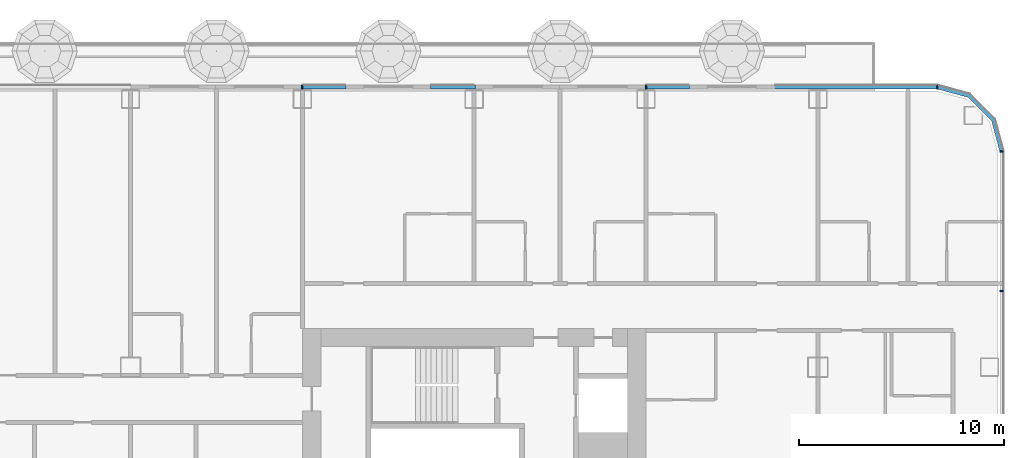
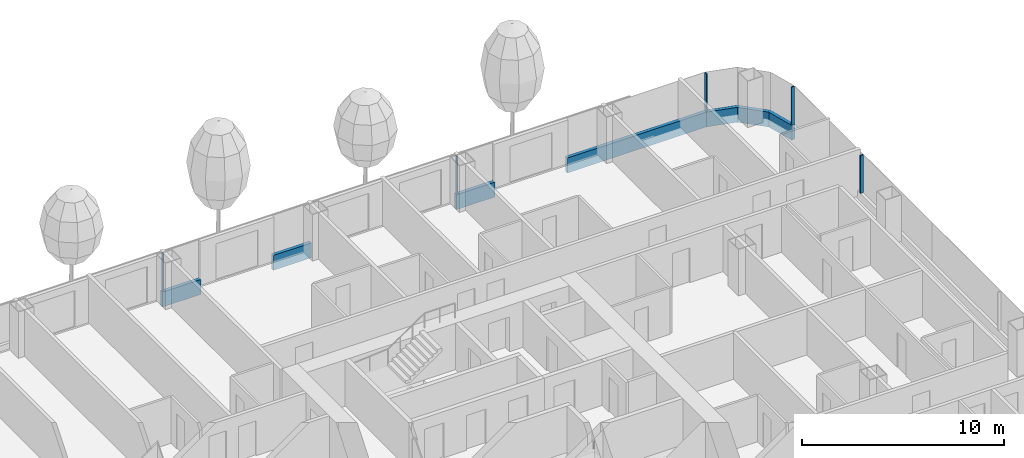
# One storey, part 10 of 36: 10 members, 3 elements without a shape of their own.
"""IFC4 building model written with IfcOpenShell, lengths in metres."""

from ifc_helpers import new_model, si_unit, direction, frame, origin, origin_2d, place, context, subcontext, project, spatial, polyline, rectangle, outline, extrude, material, layer, layer_set, material_profile, profile_set, type_object, element, aggregate, save


model = new_model("IFC4")

# Units and contexts
model_context = context("Model", 3, precision=1e-05, world=origin(), true_north=direction((0.0, 1.0)))
body_context = subcontext(model_context, "Body", "Model", "MODEL_VIEW")
ifc_project = project(units=[si_unit("LENGTHUNIT", "METRE"), si_unit("AREAUNIT", "SQUARE_METRE"), si_unit("VOLUMEUNIT", "CUBIC_METRE"), si_unit("PLANEANGLEUNIT", "RADIAN"), si_unit("MASSUNIT", "GRAM", prefix="KILO")], contexts=[model_context])

# Site, building, storey
site_placement = place(None, origin())
site = spatial("IfcSite", under=ifc_project, at=site_placement, CompositionType="ELEMENT")
building_placement = place(site_placement, origin())
building = spatial("IfcBuilding", under=site, at=building_placement, Name="Hakoniwa Tower and Hamabe Station Hall", CompositionType="ELEMENT")
storey_placement = place(building_placement, frame((0.0, 0.0, 26.199951171875)))
storey = spatial("IfcBuildingStorey", under=building, at=storey_placement, Name="L06", CompositionType="ELEMENT", Elevation=26.199951171875)

# Curtain wall, member
ifc_material_1 = material(Name="Dark low-e laminated glass", Category="glass")
ifc_layer = layer(ifc_material_1, 0.199951171875)
ifc_layer_set = layer_set([ifc_layer], Name="CW-1 UNITISED GUEST")
curtain_wall_type = type_object("IfcCurtainWallType", Name="CW-1 UNITISED GUEST", PredefinedType="NOTDEFINED", material=ifc_layer_set)
curtain_wall_1_placement = place(storey_placement, origin())
curtain_wall_1 = element("IfcCurtainWall", 1, at=curtain_wall_1_placement, inside=storey, type_object=curtain_wall_type, Name="CW-1 curtain wall", PredefinedType="NOTDEFINED")
ifc_material_2 = material(Name="Aluminium 6063-T5 black anodised", Category="aluminium")
ifc_material_profile_1 = material_profile(ifc_material_2, rectangle(XDim=0.199951171875, YDim=0.89990234375, at=origin_2d()), Name="CW SLAB-EDGE BAND 900X200")
ifc_profile_set_1 = profile_set([ifc_material_profile_1], Name="Aluminium 6063-T5 black anodised")
member_type_1 = type_object("IfcMemberType", Name="CW SLAB-EDGE BAND 900X200", PredefinedType="USERDEFINED", material=ifc_profile_set_1)
member_1_placement = place(storey_placement, frame((0.0, 0.0, -0.550048828125)))
member_1 = element("IfcMember", 2, at=member_1_placement, type_object=member_type_1, Name="CW-1 transom", ObjectType="TRANSOM", PredefinedType="USERDEFINED", context=body_context, shape_type="SweptSolid", body=[
    extrude(outline(polyline([(51.10009765625, 17.03955078125), (50.6669921875, 18.6552734375), (49.455322265625, 19.866943359375), (47.839599609375, 20.300048828125), (47.787841796875, 20.10693359375), (49.351806640625, 19.687744140625), (50.48779296875, 18.5517578125), (50.90673828125, 16.98779296875), (51.10009765625, 17.03955078125)])), origin(), (0.0, 0.0, 1.0), 0.900146484375),
])
aggregate(curtain_wall_1, [member_1])

# Curtain wall, members
curtain_wall_2_placement = place(storey_placement, origin())
curtain_wall_2 = element("IfcCurtainWall", 3, at=curtain_wall_2_placement, inside=storey, type_object=curtain_wall_type, Name="CW-1 curtain wall", PredefinedType="NOTDEFINED")
member_2_placement = place(storey_placement, frame((47.839599609375, 20.199951171875, -0.099853515625), z_axis=(-1.0, 0.0, 0.0), x_axis=(0.0, -1.0, 0.0)))
member_2 = element("IfcMember", 4, at=member_2_placement, type_object=member_type_1, Name="CW-1 transom", ObjectType="TRANSOM", PredefinedType="USERDEFINED", context=body_context, shape_type="SweptSolid", body=[
    extrude(rectangle(XDim=0.199951171875, YDim=0.89990234375, at=origin_2d()), origin(), (0.0, 0.0, 1.0), 7.969482421875),
])
member_3_placement = place(storey_placement, frame((35.72998046875, 20.199951171875, -0.099853515625), z_axis=(-1.0, 0.0, 0.0), x_axis=(0.0, -1.0, 0.0)))
member_3 = element("IfcMember", 5, at=member_3_placement, type_object=member_type_1, Name="CW-1 transom", ObjectType="TRANSOM", PredefinedType="USERDEFINED", context=body_context, shape_type="SweptSolid", body=[
    extrude(rectangle(XDim=0.199951171875, YDim=0.89990234375, at=origin_2d()), origin(), (0.0, 0.0, 1.0), 2.18994140625),
])
member_4_placement = place(storey_placement, frame((25.260009765625, 20.199951171875, -0.099853515625), z_axis=(-1.0, 0.0, 0.0), x_axis=(0.0, -1.0, 0.0)))
member_4 = element("IfcMember", 6, at=member_4_placement, type_object=member_type_1, Name="CW-1 transom", ObjectType="TRANSOM", PredefinedType="USERDEFINED", context=body_context, shape_type="SweptSolid", body=[
    extrude(rectangle(XDim=0.199951171875, YDim=0.89990234375, at=origin_2d()), origin(), (0.0, 0.0, 1.0), 2.18994140625),
])
member_5_placement = place(storey_placement, frame((18.929931640625, 20.199951171875, -0.099853515625), z_axis=(-1.0, 0.0, 0.0), x_axis=(0.0, -1.0, 0.0)))
member_5 = element("IfcMember", 7, at=member_5_placement, type_object=member_type_1, Name="CW-1 transom", ObjectType="TRANSOM", PredefinedType="USERDEFINED", context=body_context, shape_type="SweptSolid", body=[
    extrude(rectangle(XDim=0.199951171875, YDim=0.89990234375, at=origin_2d()), origin(), (0.0, 0.0, 1.0), 2.18994140625),
])

curtain_wall_3_placement = place(storey_placement, origin())
curtain_wall_3 = element("IfcCurtainWall", 8, at=curtain_wall_3_placement, inside=storey, type_object=curtain_wall_type, Name="CW-1 curtain wall", PredefinedType="NOTDEFINED")
ifc_material_3 = material(Name="Aluminium 6063-T5 black anodised", Category="aluminium")
ifc_material_profile_2 = material_profile(ifc_material_3, rectangle(XDim=0.06005859375, YDim=0.179931640625, at=origin_2d()), Name="CW-1 MULLION 60X180")
ifc_profile_set_2 = profile_set([ifc_material_profile_2], Name="Aluminium 6063-T5 black anodised")
member_type_2 = type_object("IfcMemberType", Name="CW-1 MULLION 60X180", PredefinedType="MULLION", material=ifc_profile_set_2)
member_6_placement = place(storey_placement, frame((50.98193359375, 10.2236328125, 0.35009765625), z_axis=(0.0, 0.0, 1.0), x_axis=(0.0, 1.0, 0.0)))
member_6 = element("IfcMember", 9, at=member_6_placement, type_object=member_type_2, Name="CW-1 mullion", PredefinedType="MULLION", context=body_context, shape_type="SweptSolid", body=[
    extrude(rectangle(XDim=0.06005859375, YDim=0.179931640625, at=origin_2d()), origin(), (0.0, 0.0, 1.0), 2.300048828125),
])
member_7_placement = place(storey_placement, frame((50.98193359375, 17.03955078125, 0.35009765625), z_axis=(0.0, 0.0, 1.0), x_axis=(0.0, 1.0, 0.0)))
member_7 = element("IfcMember", 10, at=member_7_placement, type_object=member_type_2, Name="CW-1 mullion", PredefinedType="MULLION", context=body_context, shape_type="SweptSolid", body=[
    extrude(rectangle(XDim=0.06005859375, YDim=0.179931640625, at=origin_2d()), origin(), (0.0, 0.0, 1.0), 2.300048828125),
])
aggregate(curtain_wall_3, [member_6, member_7])

# Member
member_8_placement = place(storey_placement, frame((47.839599609375, 20.181884765625, 0.35009765625), z_axis=(0.0, 0.0, 1.0), x_axis=(-1.0, 0.0, 0.0)))
member_8 = element("IfcMember", 11, at=member_8_placement, type_object=member_type_2, Name="CW-1 mullion", PredefinedType="MULLION", context=body_context, shape_type="SweptSolid", body=[
    extrude(rectangle(XDim=0.06005859375, YDim=0.179931640625, at=origin_2d()), origin(), (0.0, 0.0, 1.0), 2.300048828125),
])

member_9_placement = place(storey_placement, frame((33.60009765625, 20.181884765625, 0.35009765625), z_axis=(0.0, 0.0, 1.0), x_axis=(-1.0, 0.0, 0.0)))
member_9 = element("IfcMember", 12, at=member_9_placement, type_object=member_type_2, Name="CW-1 mullion", PredefinedType="MULLION", context=body_context, shape_type="SweptSolid", body=[
    extrude(rectangle(XDim=0.06005859375, YDim=0.179931640625, at=origin_2d()), origin(), (0.0, 0.0, 1.0), 2.300048828125),
])

member_10_placement = place(storey_placement, frame((16.800048828125, 20.181884765625, 0.35009765625), z_axis=(0.0, 0.0, 1.0), x_axis=(-1.0, 0.0, 0.0)))
member_10 = element("IfcMember", 13, at=member_10_placement, type_object=member_type_2, Name="CW-1 mullion", PredefinedType="MULLION", context=body_context, shape_type="SweptSolid", body=[
    extrude(rectangle(XDim=0.06005859375, YDim=0.179931640625, at=origin_2d()), origin(), (0.0, 0.0, 1.0), 2.300048828125),
])

aggregate(curtain_wall_2, [member_8, member_9, member_10, member_2, member_3, member_4, member_5])

save(model, "model.ifc")
